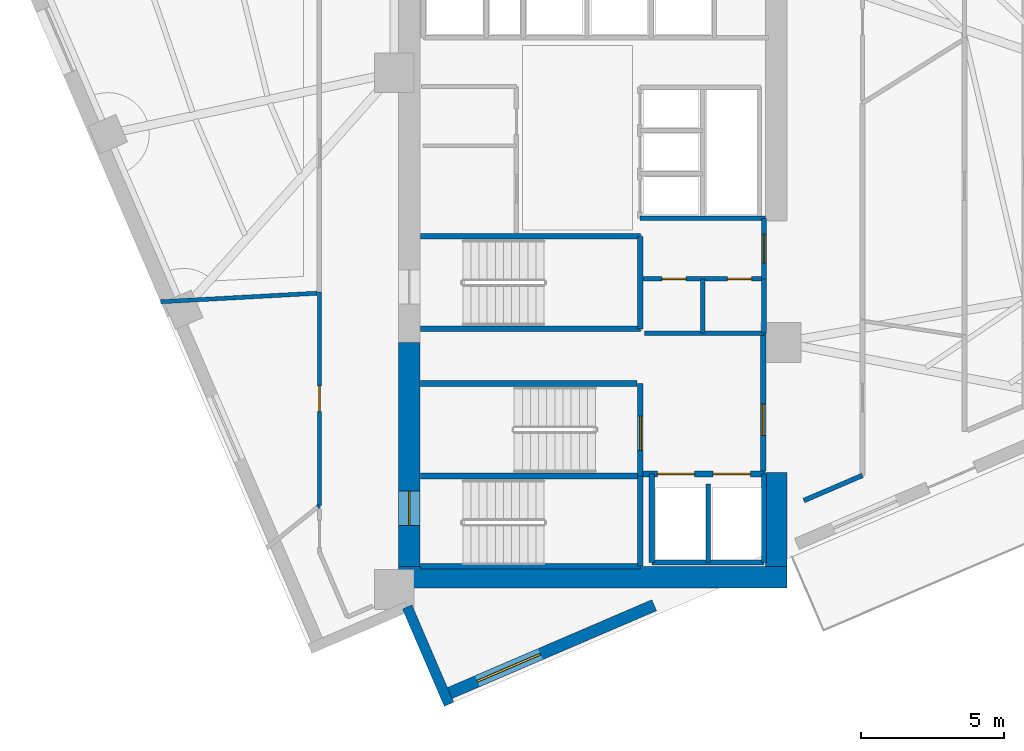
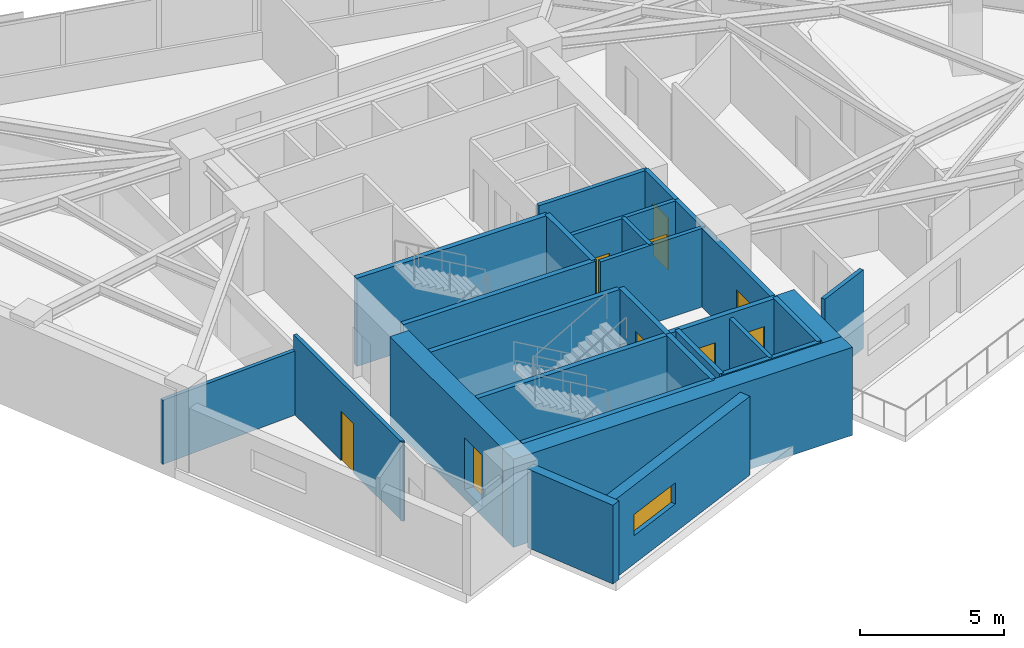
# One storey, part 9 of 13: 29 walls, 9 doors, 1 window, 10 openings.
"""IFC4 building model written with IfcOpenShell, lengths in metres."""

from ifc_helpers import new_model, si_unit, direction, frame, frame_2d, origin, place, context, subcontext, project, spatial, rectangle, extrude, material, layer, layer_set, type_object, element, fill, save


model = new_model("IFC4")

# Units and contexts
model_context = context("Model", 3, precision=1e-05, world=origin(), true_north=direction((0.0, 1.0)))
body_context = subcontext(model_context, "Body", "Model", "MODEL_VIEW")
ifc_project = project(units=[si_unit("LENGTHUNIT", "METRE"), si_unit("AREAUNIT", "SQUARE_METRE"), si_unit("VOLUMEUNIT", "CUBIC_METRE"), si_unit("PLANEANGLEUNIT", "RADIAN"), si_unit("MASSUNIT", "GRAM", prefix="KILO")], contexts=[model_context])

# Site, building, storey
site_placement = place(None, origin())
site = spatial("IfcSite", under=ifc_project, at=site_placement, CompositionType="ELEMENT")
building_placement = place(site_placement, origin())
building = spatial("IfcBuilding", under=site, at=building_placement, Name="Narakoshi Arena Tower", CompositionType="ELEMENT")
storey_placement = place(building_placement, frame((0.0, 0.0, 164.699951171875)))
storey = spatial("IfcBuildingStorey", under=building, at=storey_placement, Name="L44", CompositionType="ELEMENT", Elevation=164.699951171875)

# Wall, opening, door
ifc_material_1 = material(Name="Concrete C50/60", Category="concrete")
ifc_layer_1 = layer(ifc_material_1, 0.75)
ifc_layer_set_1 = layer_set([ifc_layer_1], Name="Concrete C50/60")
wall_type_1 = type_object("IfcWallType", Name="WL-CORE-750", PredefinedType="SHEAR", material=ifc_layer_set_1)
wall_1_placement = place(storey_placement, frame((72.52490234375, 35.5, -0.39990234375), z_axis=(0.0, 0.0, 1.0), x_axis=(0.0, 1.0, 0.0)))
wall_1 = element("IfcWall", 1, at=wall_1_placement, inside=storey, type_object=wall_type_1, Name="L44 Central Core Shear Wall CW-APX-W", PredefinedType="SHEAR", context=body_context, shape_type="SweptSolid", body=[
    extrude(rectangle(XDim=7.85009765625, YDim=0.75, at=frame_2d((3.925048828125, 0.0))), origin(), (0.0, 0.0, 1.0), 3.739990234375),
])
opening_1_placement = place(wall_1_placement, frame((1.449951171875, 0.0, 0.39990234375)))
opening_1 = element("IfcOpeningElement", 2, at=opening_1_placement, cuts=wall_1, Name="Opening D-03", PredefinedType="OPENING", context=body_context, shape_type="SweptSolid", body=[
    extrude(rectangle(XDim=1.199951171875, YDim=2.199951171875, at=frame_2d((0.60009765625, 1.10009765625))), frame((0.0, 0.385009765625, 0.0), z_axis=(0.0, -1.0, 0.0), x_axis=(1.0, 0.0, 0.0)), (0.0, 0.0, 1.0), 0.77001953125),
])
ifc_material_2 = material(Name="Painted galvanized steel", Category="steel")
door_type_1 = type_object("IfcDoorType", Name="DR-STR-1200", OperationType="NOTDEFINED", PredefinedType="USERDEFINED", material=ifc_material_2)
door_1_placement = place(opening_1_placement, frame((1.199951171875, 0.0, 0.0), z_axis=(0.0, 0.0, 1.0), x_axis=(-1.0, 0.0, 0.0)))
door_1 = element("IfcDoor", 3, at=door_1_placement, inside=storey, type_object=door_type_1, Name="DR-L44-002", ObjectType="EXITDOOR", OperationType="SINGLE_SWING_LEFT", OverallHeight=2.199951171875, OverallWidth=1.199951171875, PredefinedType="USERDEFINED", context=body_context, shape_type="SweptSolid", body=[
    extrude(rectangle(XDim=1.199951171875, YDim=2.199951171875, at=frame_2d((0.60009765625, 1.10009765625))), frame((0.0, 0.02490234375, 0.0), z_axis=(0.0, -1.0, 0.0), x_axis=(1.0, 0.0, 0.0)), (0.0, 0.0, 1.0), 0.050048828125),
])
fill(opening_1, door_1)

# Walls
wall_2_placement = place(storey_placement, frame((72.14990234375, 35.125, -0.39990234375), z_axis=(0.0, 0.0, 1.0), x_axis=(1.0, 0.0, 0.0)))
element("IfcWall", 4, at=wall_2_placement, inside=storey, type_object=wall_type_1, Name="L44 Central Core Shear Wall CW-APX-S", PredefinedType="SHEAR", context=body_context, shape_type="SweptSolid", body=[
    extrude(rectangle(XDim=13.60009765625, YDim=0.75, at=frame_2d((6.800048828125, 0.0))), origin(), (0.0, 0.0, 1.0), 3.739990234375),
])
wall_3_placement = place(storey_placement, frame((85.375, 35.5, -0.39990234375), z_axis=(0.0, 0.0, 1.0), x_axis=(0.0, 1.0, 0.0)))
element("IfcWall", 5, at=wall_3_placement, inside=storey, type_object=wall_type_1, Name="L44 Central Core Shear Wall CW-APX-E", PredefinedType="SHEAR", context=body_context, shape_type="SweptSolid", body=[
    extrude(rectangle(XDim=3.300048828125, YDim=0.75, at=frame_2d((1.64990234375, 0.0))), origin(), (0.0, 0.0, 1.0), 3.739990234375),
])

# Wall, opening, door
ifc_material_3 = material(Name="Gypsum plasterboard fire-rated partition")
ifc_layer_2 = layer(ifc_material_3, 0.1650390625)
ifc_layer_set_2 = layer_set([ifc_layer_2], Name="Gypsum plasterboard fire-rated partition")
wall_type_2 = type_object("IfcWallType", Name="WL-CORR-165", PredefinedType="PARTITIONING", material=ifc_layer_set_2)
wall_4_placement = place(storey_placement, frame((84.949951171875, 45.580078125, 0.0), z_axis=(0.0, 0.0, 1.0), x_axis=(0.0, 1.0, 0.0)))
wall_4 = element("IfcWall", 6, at=wall_4_placement, inside=storey, type_object=wall_type_2, Name="L44 Core Wall CPAS-E", PredefinedType="PARTITIONING", context=body_context, shape_type="SweptSolid", body=[
    extrude(rectangle(XDim=2.119873046875, YDim=0.1650390625, at=frame_2d((1.06005859375, 0.0))), origin(), (0.0, 0.0, 1.0), 3.340087890625),
])
opening_2_placement = place(wall_4_placement, frame((0.56005859375, 0.0, 0.0)))
opening_2 = element("IfcOpeningElement", 7, at=opening_2_placement, cuts=wall_4, Name="Opening D-06", PredefinedType="OPENING", context=body_context, shape_type="SweptSolid", body=[
    extrude(rectangle(XDim=1.0, YDim=2.199951171875, at=frame_2d((0.5, 1.10009765625))), frame((0.0, 0.092529296875, 0.0), z_axis=(0.0, -1.0, 0.0), x_axis=(1.0, 0.0, 0.0)), (0.0, 0.0, 1.0), 0.18505859375),
])
ifc_material_4 = material(Name="Stained oak solid-core timber", Category="wood")
door_type_2 = type_object("IfcDoorType", Name="DR-OFF-1000", OperationType="NOTDEFINED", PredefinedType="DOOR", material=ifc_material_4)
door_2_placement = place(opening_2_placement, frame((1.0, 0.0, 0.0), z_axis=(0.0, 0.0, 1.0), x_axis=(-1.0, 0.0, 0.0)))
door_2 = element("IfcDoor", 8, at=door_2_placement, inside=storey, type_object=door_type_2, Name="DR-L44-008", OperationType="SINGLE_SWING_LEFT", OverallHeight=2.199951171875, OverallWidth=1.0, PredefinedType="DOOR", context=body_context, shape_type="SweptSolid", body=[
    extrude(rectangle(XDim=1.0, YDim=2.199951171875, at=frame_2d((0.5, 1.10009765625))), frame((0.0, 0.02490234375, 0.0), z_axis=(0.0, -1.0, 0.0), x_axis=(1.0, 0.0, 0.0)), (0.0, 0.0, 1.0), 0.050048828125),
])
fill(opening_2, door_2)

# Wall
wall_5_placement = place(storey_placement, frame((86.345947265625, 37.81689453125, 0.0), z_axis=(0.0, 0.0, 1.0), x_axis=(0.918811412195, 0.394696831531, 0.0)))
element("IfcWall", 9, at=wall_5_placement, inside=storey, type_object=wall_type_2, Name="L44 Corridor Partition 03-4", PredefinedType="PARTITIONING", context=body_context, shape_type="SweptSolid", body=[
    extrude(rectangle(XDim=2.2353515625, YDim=0.1650390625, at=frame_2d((1.11767578125, 0.0))), origin(), (0.0, 0.0, 1.0), 3.340087890625),
])

# Wall, opening, window
ifc_material_5 = material(Name="Precast concrete C45/55", Category="concrete")
ifc_layer_3 = layer(ifc_material_5, 0.419921875)
ifc_layer_set_3 = layer_set([ifc_layer_3], Name="Precast concrete C45/55")
wall_type_3 = type_object("IfcWallType", Name="WL-POD-420", PredefinedType="SOLIDWALL", material=ifc_layer_set_3)
wall_6_placement = place(storey_placement, frame((73.77880859375, 31.002685546875, 0.0), z_axis=(0.0, 0.0, 1.0), x_axis=(0.918797817688, 0.394728476565, 0.0)))
wall_6 = element("IfcWall", 10, at=wall_6_placement, inside=storey, type_object=wall_type_3, Name="L44 Architectural Concrete Facade Wall LEGA-1", PredefinedType="SOLIDWALL", context=body_context, shape_type="SweptSolid", body=[
    extrude(rectangle(XDim=7.97314453125, YDim=0.419921875, at=frame_2d((3.986572265625, 0.0))), origin(), (0.0, 0.0, 1.0), 3.340087890625),
])
opening_3_placement = place(wall_6_placement, frame((1.234130859375, 0.0, 1.199951171875)))
opening_3 = element("IfcOpeningElement", 11, at=opening_3_placement, cuts=wall_6, Name="Opening WN-01", PredefinedType="OPENING", context=body_context, shape_type="SweptSolid", body=[
    extrude(rectangle(XDim=2.39990234375, YDim=0.89990234375, at=frame_2d((1.199951171875, 0.449951171875))), frame((0.0, 0.219970703125, 0.0), z_axis=(0.0, -1.0, 0.0), x_axis=(1.0, 0.0, 0.0)), (0.0, 0.0, 1.0), 0.43994140625),
])
ifc_material_6 = material(Name="Bronze-tinted low-E laminated glass", Category="glass")
window_type = type_object("IfcWindowType", Name="WIN-SLT-24x09", PartitioningType="SINGLE_PANEL", PredefinedType="WINDOW", material=ifc_material_6)
window_placement = place(opening_3_placement, origin())
window = element("IfcWindow", 12, at=window_placement, inside=storey, type_object=window_type, Name="L44 LEGA1 Horizontal Slot Window 1", OverallHeight=0.89990234375, OverallWidth=2.39990234375, PartitioningType="SINGLE_PANEL", PredefinedType="WINDOW", context=body_context, shape_type="SweptSolid", body=[
    extrude(rectangle(XDim=2.39990234375, YDim=0.89990234375, at=frame_2d((1.199951171875, 0.449951171875))), frame((0.0, 0.030029296875, 0.0), z_axis=(0.0, -1.0, 0.0), x_axis=(1.0, 0.0, 0.0)), (0.0, 0.0, 1.0), 0.06005859375),
])
fill(opening_3, window)

# Walls
wall_7_placement = place(storey_placement, frame((72.451416015625, 34.09228515625, 0.0), z_axis=(0.0, 0.0, 1.0), x_axis=(0.394752464447, -0.918787511786, 0.0)))
element("IfcWall", 13, at=wall_7_placement, inside=storey, type_object=wall_type_3, Name="L44 Re-Entrant Corner Notch Wall NTA-2", PredefinedType="SOLIDWALL", context=body_context, shape_type="SweptSolid", body=[
    extrude(rectangle(XDim=3.712646484375, YDim=0.360107421875, at=frame_2d((1.8564453125, 0.0))), origin(), (0.0, 0.0, 1.0), 3.340087890625),
])
ifc_material_7 = material(Name="Concrete C40/50", Category="concrete")
ifc_layer_4 = layer(ifc_material_7, 0.280029296875)
ifc_layer_set_4 = layer_set([ifc_layer_4], Name="Concrete C40/50")
wall_type_4 = type_object("IfcWallType", Name="WL-RISER-280", PredefinedType="PLUMBINGWALL", material=ifc_layer_set_4)
wall_8_placement = place(storey_placement, frame((83.0, 35.64990234375, 0.0), z_axis=(0.0, 0.0, 1.0), x_axis=(0.0, 1.0, 0.0)))
element("IfcWall", 14, at=wall_8_placement, inside=storey, type_object=wall_type_4, Name="L44 Core Wall FF-DIV", PredefinedType="PLUMBINGWALL", context=body_context, shape_type="SweptSolid", body=[
    extrude(rectangle(XDim=2.75, YDim=0.159912109375, at=frame_2d((1.375, 0.0))), origin(), (0.0, 0.0, 1.0), 3.340087890625),
])
wall_9_placement = place(storey_placement, frame((84.949951171875, 43.679931640625, 0.0), z_axis=(0.0, 0.0, 1.0), x_axis=(0.0, 1.0, 0.0)))
element("IfcWall", 15, at=wall_9_placement, inside=storey, type_object=wall_type_4, Name="L44 Core Wall RSR-E", PredefinedType="PLUMBINGWALL", context=body_context, shape_type="SweptSolid", body=[
    extrude(rectangle(XDim=1.900146484375, YDim=0.1650390625, at=frame_2d((0.9501953125, 0.0))), origin(), (0.0, 0.0, 1.0), 3.340087890625),
])

# Wall, openings, doors
wall_10_placement = place(storey_placement, frame((80.719970703125, 45.580078125, 0.0), z_axis=(0.0, 0.0, 1.0), x_axis=(1.0, 0.0, 0.0)))
wall_10 = element("IfcWall", 16, at=wall_10_placement, inside=storey, type_object=wall_type_4, Name="L44 Core Wall RSR-N", PredefinedType="PLUMBINGWALL", context=body_context, shape_type="SweptSolid", body=[
    extrude(rectangle(XDim=4.22998046875, YDim=0.159912109375, at=frame_2d((2.114990234375, 0.0))), origin(), (0.0, 0.0, 1.0), 3.340087890625),
])
opening_4_placement = place(wall_10_placement, frame((0.64990234375, 0.0, 0.0)))
opening_4 = element("IfcOpeningElement", 17, at=opening_4_placement, cuts=wall_10, Name="Opening D-10", PredefinedType="OPENING", context=body_context, shape_type="SweptSolid", body=[
    extrude(rectangle(XDim=0.85009765625, YDim=2.050048828125, at=frame_2d((0.425048828125, 1.02490234375))), frame((0.0, 0.08984375, 0.0), z_axis=(0.0, -1.0, 0.0), x_axis=(1.0, 0.0, 0.0)), (0.0, 0.0, 1.0), 0.179931640625),
])
opening_5_placement = place(wall_10_placement, frame((2.949951171875, 0.0, 0.0)))
opening_5 = element("IfcOpeningElement", 18, at=opening_5_placement, cuts=wall_10, Name="Opening D-10", PredefinedType="OPENING", context=body_context, shape_type="SweptSolid", body=[
    extrude(rectangle(XDim=0.85009765625, YDim=2.050048828125, at=frame_2d((0.425048828125, 1.02490234375))), frame((0.0, 0.08984375, 0.0), z_axis=(0.0, -1.0, 0.0), x_axis=(1.0, 0.0, 0.0)), (0.0, 0.0, 1.0), 0.179931640625),
])
door_type_3 = type_object("IfcDoorType", Name="DR-RSR-850", OperationType="NOTDEFINED", PredefinedType="DOOR", material=ifc_material_2)
door_3_placement = place(opening_4_placement, frame((0.85009765625, 0.0, 0.0), z_axis=(0.0, 0.0, 1.0), x_axis=(-1.0, 0.0, 0.0)))
door_3 = element("IfcDoor", 19, at=door_3_placement, inside=storey, type_object=door_type_3, Name="DR-L44-009", OperationType="SINGLE_SWING_LEFT", OverallHeight=2.050048828125, OverallWidth=0.85009765625, PredefinedType="DOOR", context=body_context, shape_type="SweptSolid", body=[
    extrude(rectangle(XDim=0.85009765625, YDim=2.050048828125, at=frame_2d((0.425048828125, 1.02490234375))), frame((0.0, 0.02490234375, 0.0), z_axis=(0.0, -1.0, 0.0), x_axis=(1.0, 0.0, 0.0)), (0.0, 0.0, 1.0), 0.050048828125),
])
fill(opening_4, door_3)
door_4_placement = place(opening_5_placement, frame((0.85009765625, 0.0, 0.0), z_axis=(0.0, 0.0, 1.0), x_axis=(-1.0, 0.0, 0.0)))
door_4 = element("IfcDoor", 20, at=door_4_placement, inside=storey, type_object=door_type_3, Name="DR-L44-010", OperationType="SINGLE_SWING_RIGHT", OverallHeight=2.050048828125, OverallWidth=0.85009765625, PredefinedType="DOOR", context=body_context, shape_type="SweptSolid", body=[
    extrude(rectangle(XDim=0.85009765625, YDim=2.050048828125, at=frame_2d((0.425048828125, 1.02490234375))), frame((0.0, 0.02490234375, 0.0), z_axis=(0.0, -1.0, 0.0), x_axis=(1.0, 0.0, 0.0)), (0.0, 0.0, 1.0), 0.050048828125),
])
fill(opening_5, door_4)

# Walls
wall_11_placement = place(storey_placement, frame((80.760009765625, 43.679931640625, 0.0), z_axis=(0.0, 0.0, 1.0), x_axis=(1.0, 0.0, 0.0)))
element("IfcWall", 21, at=wall_11_placement, inside=storey, type_object=wall_type_4, Name="L44 Core Wall RSR-S", PredefinedType="PLUMBINGWALL", context=body_context, shape_type="SweptSolid", body=[
    extrude(rectangle(XDim=4.18994140625, YDim=0.159912109375, at=frame_2d((2.094970703125, 0.0))), origin(), (0.0, 0.0, 1.0), 3.340087890625),
])
wall_12_placement = place(storey_placement, frame((82.800048828125, 43.679931640625, 0.0), z_axis=(0.0, 0.0, 1.0), x_axis=(0.0, 1.0, 0.0)))
element("IfcWall", 22, at=wall_12_placement, inside=storey, type_object=wall_type_4, Name="L44 Core Wall RSR-M", PredefinedType="PLUMBINGWALL", context=body_context, shape_type="SweptSolid", body=[
    extrude(rectangle(XDim=1.900146484375, YDim=0.159912109375, at=frame_2d((0.9501953125, 0.0))), origin(), (0.0, 0.0, 1.0), 3.340087890625),
])
ifc_layer_5 = layer(ifc_material_1, 0.35009765625)
ifc_layer_set_5 = layer_set([ifc_layer_5], Name="Concrete C50/60")
wall_type_5 = type_object("IfcWallType", Name="WL-SHAFT-350", PredefinedType="SOLIDWALL", material=ifc_layer_set_5)
for number, where, z_axis, x_axis, name in (
    (23, (72.919921875, 35.52001953125, -0.39990234375), (0.0, 0.0, 1.0), (1.0, 0.0, 0.0), "L44 Core Wall ST1-S"),
    (24, (72.919921875, 38.675048828125, -0.39990234375), (0.0, 0.0, 1.0), (1.0, 0.0, 0.0), "L44 Core Wall ST12-DIV"),
):
    element("IfcWall", number, at=place(storey_placement, frame(where, z_axis=z_axis, x_axis=x_axis)), inside=storey, type_object=wall_type_5, Name=name, PredefinedType="SOLIDWALL", context=body_context, shape_type="SweptSolid", body=[
        extrude(rectangle(XDim=7.7001953125, YDim=0.199951171875, at=frame_2d((3.85009765625, 0.0))), origin(), (0.0, 0.0, 1.0), 3.739990234375),
    ])
wall_13_placement = place(storey_placement, frame((80.6201171875, 35.52001953125, -0.39990234375), z_axis=(0.0, 0.0, 1.0), x_axis=(0.0, 1.0, 0.0)))
element("IfcWall", 25, at=wall_13_placement, inside=storey, type_object=wall_type_5, Name="L44 Core Wall ST1-E", PredefinedType="SOLIDWALL", context=body_context, shape_type="SweptSolid", body=[
    extrude(rectangle(XDim=3.155029296875, YDim=0.199951171875, at=frame_2d((1.57763671875, 0.0))), origin(), (0.0, 0.0, 1.0), 3.739990234375),
])

# Wall, opening, door
wall_14_placement = place(storey_placement, frame((80.6201171875, 38.675048828125, -0.39990234375), z_axis=(0.0, 0.0, 1.0), x_axis=(0.0, 1.0, 0.0)))
wall_14 = element("IfcWall", 26, at=wall_14_placement, inside=storey, type_object=wall_type_5, Name="L44 Core Wall ST2-E", PredefinedType="SOLIDWALL", context=body_context, shape_type="SweptSolid", body=[
    extrude(rectangle(XDim=3.244873046875, YDim=0.199951171875, at=frame_2d((1.62255859375, 0.0))), origin(), (0.0, 0.0, 1.0), 3.739990234375),
])
opening_6_placement = place(wall_14_placement, frame((0.89990234375, 0.0, 0.39990234375)))
opening_6 = element("IfcOpeningElement", 27, at=opening_6_placement, cuts=wall_14, Name="Opening D-03", PredefinedType="OPENING", context=body_context, shape_type="SweptSolid", body=[
    extrude(rectangle(XDim=1.199951171875, YDim=2.199951171875, at=frame_2d((0.60009765625, 1.10009765625))), frame((0.0, 0.10986328125, 0.0), z_axis=(0.0, -1.0, 0.0), x_axis=(1.0, 0.0, 0.0)), (0.0, 0.0, 1.0), 0.219970703125),
])
door_5_placement = place(opening_6_placement, origin())
door_5 = element("IfcDoor", 28, at=door_5_placement, inside=storey, type_object=door_type_1, Name="DR-L44-003", ObjectType="EXITDOOR", OperationType="SINGLE_SWING_RIGHT", OverallHeight=2.199951171875, OverallWidth=1.199951171875, PredefinedType="USERDEFINED", context=body_context, shape_type="SweptSolid", body=[
    extrude(rectangle(XDim=1.199951171875, YDim=2.199951171875, at=frame_2d((0.60009765625, 1.10009765625))), frame((0.0, 0.02490234375, 0.0), z_axis=(0.0, -1.0, 0.0), x_axis=(1.0, 0.0, 0.0)), (0.0, 0.0, 1.0), 0.050048828125),
])
fill(opening_6, door_5)

# Wall, openings, doors
wall_15_placement = place(storey_placement, frame((80.719970703125, 38.75, 0.0), z_axis=(0.0, 0.0, 1.0), x_axis=(1.0, 0.0, 0.0)))
wall_15 = element("IfcWall", 29, at=wall_15_placement, inside=storey, type_object=wall_type_5, Name="L44 Core Wall FF-N", PredefinedType="SOLIDWALL", context=body_context, shape_type="SweptSolid", body=[
    extrude(rectangle(XDim=4.260009765625, YDim=0.199951171875, at=frame_2d((2.1298828125, 0.0))), origin(), (0.0, 0.0, 1.0), 3.340087890625),
])
opening_7_placement = place(wall_15_placement, frame((0.5, 0.0, 0.0)))
opening_7 = element("IfcOpeningElement", 30, at=opening_7_placement, cuts=wall_15, Name="Opening LD-02", PredefinedType="OPENING", context=body_context, shape_type="SweptSolid", body=[
    extrude(rectangle(XDim=1.300048828125, YDim=2.300048828125, at=frame_2d((0.64990234375, 1.14990234375))), frame((0.0, 0.10986328125, 0.0), z_axis=(0.0, -1.0, 0.0), x_axis=(1.0, 0.0, 0.0)), (0.0, 0.0, 1.0), 0.219970703125),
])
opening_8_placement = place(wall_15_placement, frame((2.449951171875, 0.0, 0.0)))
opening_8 = element("IfcOpeningElement", 31, at=opening_8_placement, cuts=wall_15, Name="Opening LD-02", PredefinedType="OPENING", context=body_context, shape_type="SweptSolid", body=[
    extrude(rectangle(XDim=1.300048828125, YDim=2.300048828125, at=frame_2d((0.64990234375, 1.14990234375))), frame((0.0, 0.10986328125, 0.0), z_axis=(0.0, -1.0, 0.0), x_axis=(1.0, 0.0, 0.0)), (0.0, 0.0, 1.0), 0.219970703125),
])
ifc_material_8 = material(Name="Brushed bronze stainless steel", Category="steel")
door_type_4 = type_object("IfcDoorType", Name="DR-LFT-1300", OperationType="DOUBLE_DOOR_SLIDING", PredefinedType="DOOR", material=ifc_material_8)
door_6_placement = place(opening_7_placement, origin())
door_6 = element("IfcDoor", 32, at=door_6_placement, inside=storey, type_object=door_type_4, Name="DR-L44-004", OperationType="DOUBLE_DOOR_SLIDING", OverallHeight=2.300048828125, OverallWidth=1.300048828125, PredefinedType="DOOR", context=body_context, shape_type="SweptSolid", body=[
    extrude(rectangle(XDim=1.300048828125, YDim=2.300048828125, at=frame_2d((0.64990234375, 1.14990234375))), frame((0.0, 0.02490234375, 0.0), z_axis=(0.0, -1.0, 0.0), x_axis=(1.0, 0.0, 0.0)), (0.0, 0.0, 1.0), 0.050048828125),
])
fill(opening_7, door_6)
door_7_placement = place(opening_8_placement, origin())
door_7 = element("IfcDoor", 33, at=door_7_placement, inside=storey, type_object=door_type_4, Name="DR-L44-005", OperationType="DOUBLE_DOOR_SLIDING", OverallHeight=2.300048828125, OverallWidth=1.300048828125, PredefinedType="DOOR", context=body_context, shape_type="SweptSolid", body=[
    extrude(rectangle(XDim=1.300048828125, YDim=2.300048828125, at=frame_2d((0.64990234375, 1.14990234375))), frame((0.0, 0.02490234375, 0.0), z_axis=(0.0, -1.0, 0.0), x_axis=(1.0, 0.0, 0.0)), (0.0, 0.0, 1.0), 0.050048828125),
])
fill(opening_8, door_7)

# Walls
for number, where, z_axis, x_axis, name in (
    (34, (84.949951171875, 35.64990234375, 0.0), (0.0, 0.0, 1.0), (0.0, 1.0, 0.0), "L44 Core Wall FF-E"),
    (35, (81.02001953125, 35.64990234375, 0.0), (0.0, 0.0, 1.0), (0.0, 1.0, 0.0), "L44 Core Wall FF-W"),
):
    element("IfcWall", number, at=place(storey_placement, frame(where, z_axis=z_axis, x_axis=x_axis)), inside=storey, type_object=wall_type_5, Name=name, PredefinedType="SOLIDWALL", context=body_context, shape_type="SweptSolid", body=[
        extrude(rectangle(XDim=3.10009765625, YDim=0.179931640625, at=frame_2d((1.550048828125, 0.0))), origin(), (0.0, 0.0, 1.0), 3.340087890625),
    ])
wall_16_placement = place(storey_placement, frame((81.02001953125, 35.64990234375, 0.0), z_axis=(0.0, 0.0, 1.0), x_axis=(1.0, 0.0, 0.0)))
element("IfcWall", 36, at=wall_16_placement, inside=storey, type_object=wall_type_5, Name="L44 Core Wall FF-S", PredefinedType="SOLIDWALL", context=body_context, shape_type="SweptSolid", body=[
    extrude(rectangle(XDim=3.929931640625, YDim=0.179931640625, at=frame_2d((1.96484375, 0.0))), origin(), (0.0, 0.0, 1.0), 3.340087890625),
])

# Wall, opening, door
wall_17_placement = place(storey_placement, frame((84.919921875, 38.85009765625, 0.0), z_axis=(0.0, 0.0, 1.0), x_axis=(0.0, 1.0, 0.0)))
wall_17 = element("IfcWall", 37, at=wall_17_placement, inside=storey, type_object=wall_type_5, Name="L44 Core Wall FFLOB-E", PredefinedType="SOLIDWALL", context=body_context, shape_type="SweptSolid", body=[
    extrude(rectangle(XDim=4.829833984375, YDim=0.199951171875, at=frame_2d((2.4150390625, 0.0))), origin(), (0.0, 0.0, 1.0), 3.340087890625),
])
opening_9_placement = place(wall_17_placement, frame((1.25, 0.0, 0.0)))
opening_9 = element("IfcOpeningElement", 38, at=opening_9_placement, cuts=wall_17, Name="Opening D-04", PredefinedType="OPENING", context=body_context, shape_type="SweptSolid", body=[
    extrude(rectangle(XDim=1.10009765625, YDim=2.199951171875, at=frame_2d((0.550048828125, 1.10009765625))), frame((0.0, 0.10986328125, 0.0), z_axis=(0.0, -1.0, 0.0), x_axis=(1.0, 0.0, 0.0)), (0.0, 0.0, 1.0), 0.219970703125),
])
door_type_5 = type_object("IfcDoorType", Name="DR-FFL-1100", OperationType="NOTDEFINED", PredefinedType="DOOR", material=ifc_material_2)
door_8_placement = place(opening_9_placement, frame((1.10009765625, 0.0, 0.0), z_axis=(0.0, 0.0, 1.0), x_axis=(-1.0, 0.0, 0.0)))
door_8 = element("IfcDoor", 39, at=door_8_placement, inside=storey, type_object=door_type_5, Name="DR-L44-006", OperationType="SINGLE_SWING_RIGHT", OverallHeight=2.199951171875, OverallWidth=1.10009765625, PredefinedType="DOOR", context=body_context, shape_type="SweptSolid", body=[
    extrude(rectangle(XDim=1.10009765625, YDim=2.199951171875, at=frame_2d((0.550048828125, 1.10009765625))), frame((0.0, 0.02490234375, 0.0), z_axis=(0.0, -1.0, 0.0), x_axis=(1.0, 0.0, 0.0)), (0.0, 0.0, 1.0), 0.050048828125),
])
fill(opening_9, door_8)

# Walls
wall_18_placement = place(storey_placement, frame((72.919921875, 41.919921875, -0.39990234375), z_axis=(0.0, 0.0, 1.0), x_axis=(1.0, 0.0, 0.0)))
element("IfcWall", 40, at=wall_18_placement, inside=storey, type_object=wall_type_5, Name="L44 Core Wall ST2-N", PredefinedType="SOLIDWALL", context=body_context, shape_type="SweptSolid", body=[
    extrude(rectangle(XDim=7.580078125, YDim=0.199951171875, at=frame_2d((3.7900390625, 0.0))), origin(), (0.0, 0.0, 1.0), 3.739990234375),
])
for number, where, z_axis, x_axis, name in (
    (41, (72.919921875, 43.830078125, -0.39990234375), (0.0, 0.0, 1.0), (1.0, 0.0, 0.0), "L44 Core Wall ST3-S"),
    (42, (72.919921875, 47.070068359375, -0.39990234375), (0.0, 0.0, 1.0), (1.0, 0.0, 0.0), "L44 Core Wall ST3-N"),
):
    element("IfcWall", number, at=place(storey_placement, frame(where, z_axis=z_axis, x_axis=x_axis)), inside=storey, type_object=wall_type_5, Name=name, PredefinedType="SOLIDWALL", context=body_context, shape_type="SweptSolid", body=[
        extrude(rectangle(XDim=7.7001953125, YDim=0.199951171875, at=frame_2d((3.85009765625, 0.0))), origin(), (0.0, 0.0, 1.0), 3.739990234375),
    ])
wall_19_placement = place(storey_placement, frame((80.6201171875, 43.830078125, -0.39990234375), z_axis=(0.0, 0.0, 1.0), x_axis=(0.0, 1.0, 0.0)))
element("IfcWall", 43, at=wall_19_placement, inside=storey, type_object=wall_type_5, Name="L44 Core Wall ST3-E", PredefinedType="SOLIDWALL", context=body_context, shape_type="SweptSolid", body=[
    extrude(rectangle(XDim=3.239990234375, YDim=0.199951171875, at=frame_2d((1.6201171875, 0.0))), origin(), (0.0, 0.0, 1.0), 3.739990234375),
])
wall_20_placement = place(storey_placement, frame((80.60009765625, 47.699951171875, 0.0), z_axis=(0.0, 0.0, 1.0), x_axis=(1.0, 0.0, 0.0)))
element("IfcWall", 44, at=wall_20_placement, inside=storey, type_object=wall_type_5, Name="L44 Core Wall MR-S", PredefinedType="SOLIDWALL", context=body_context, shape_type="SweptSolid", body=[
    extrude(rectangle(XDim=4.39990234375, YDim=0.159912109375, at=frame_2d((2.199951171875, 0.0))), origin(), (0.0, 0.0, 1.0), 3.340087890625),
])

# Wall, opening, door
ifc_material_9 = material(Name="Moisture-resistant cement-board partition")
ifc_layer_6 = layer(ifc_material_9, 0.14501953125)
ifc_layer_set_6 = layer_set([ifc_layer_6], Name="Moisture-resistant cement-board partition")
wall_type_6 = type_object("IfcWallType", Name="WL-WET-145", PredefinedType="PARTITIONING", material=ifc_layer_set_6)
wall_21_placement = place(storey_placement, frame((69.376220703125, 45.118896484375, 0.0), z_axis=(0.0, 0.0, 1.0), x_axis=(0.0, -1.0, 0.0)))
wall_21 = element("IfcWall", 45, at=wall_21_placement, inside=storey, type_object=wall_type_6, Name="L44 Corridor Partition 01-1", PredefinedType="PARTITIONING", context=body_context, shape_type="SweptSolid", body=[
    extrude(rectangle(XDim=7.48095703125, YDim=0.14501953125, at=frame_2d((3.740478515625, 0.0))), origin(), (0.0, 0.0, 1.0), 3.340087890625),
])
opening_10_placement = place(wall_21_placement, frame((3.290283203125, 0.0, 0.0)))
opening_10 = element("IfcOpeningElement", 46, at=opening_10_placement, cuts=wall_21, Name="Opening D-08", PredefinedType="OPENING", context=body_context, shape_type="SweptSolid", body=[
    extrude(rectangle(XDim=0.89990234375, YDim=2.10009765625, at=frame_2d((0.449951171875, 1.050048828125))), frame((0.0, 0.08251953125, 0.0), z_axis=(0.0, -1.0, 0.0), x_axis=(1.0, 0.0, 0.0)), (0.0, 0.0, 1.0), 0.1650390625),
])
ifc_material_10 = material(Name="Moisture-resistant laminate timber", Category="wood")
door_type_6 = type_object("IfcDoorType", Name="DR-WC-900", OperationType="NOTDEFINED", PredefinedType="DOOR", material=ifc_material_10)
door_9_placement = place(opening_10_placement, frame((0.89990234375, 0.0, 0.0), z_axis=(0.0, 0.0, 1.0), x_axis=(-1.0, 0.0, 0.0)))
door_9 = element("IfcDoor", 47, at=door_9_placement, inside=storey, type_object=door_type_6, Name="DR-L44-016", OperationType="SINGLE_SWING_RIGHT", OverallHeight=2.10009765625, OverallWidth=0.89990234375, PredefinedType="DOOR", context=body_context, shape_type="SweptSolid", body=[
    extrude(rectangle(XDim=0.89990234375, YDim=2.10009765625, at=frame_2d((0.449951171875, 1.050048828125))), frame((0.0, 0.02490234375, 0.0), z_axis=(0.0, -1.0, 0.0), x_axis=(1.0, 0.0, 0.0)), (0.0, 0.0, 1.0), 0.050048828125),
])
fill(opening_10, door_9)

# Walls
wall_22_placement = place(storey_placement, frame((69.376220703125, 37.637939453125, 0.0), z_axis=(0.0, 0.0, 1.0), x_axis=(-0.763621722134, -0.645663895138, 0.0)))
element("IfcWall", 48, at=wall_22_placement, inside=storey, type_object=wall_type_6, Name="L44 Corridor Partition 01-2", PredefinedType="PARTITIONING", context=body_context, shape_type="SweptSolid", body=[
    extrude(rectangle(XDim=0.07861328125, YDim=0.14501953125, at=frame_2d((0.039306640625, 0.0))), origin(), (0.0, 0.0, 1.0), 3.340087890625),
])
wall_23_placement = place(storey_placement, frame((63.8193359375, 44.7783203125, 0.0), z_axis=(0.0, 0.0, 1.0), x_axis=(0.998502685654, 0.054702712379, 0.0)))
element("IfcWall", 49, at=wall_23_placement, inside=storey, type_object=wall_type_6, Name="L44 Inter-Room Partition 01-09", PredefinedType="PARTITIONING", context=body_context, shape_type="SweptSolid", body=[
    extrude(rectangle(XDim=5.480712890625, YDim=0.14501953125, at=frame_2d((2.740234375, 0.0))), origin(), (0.0, 0.0, 1.0), 2.72509765625),
])

save(model, "model.ifc")
